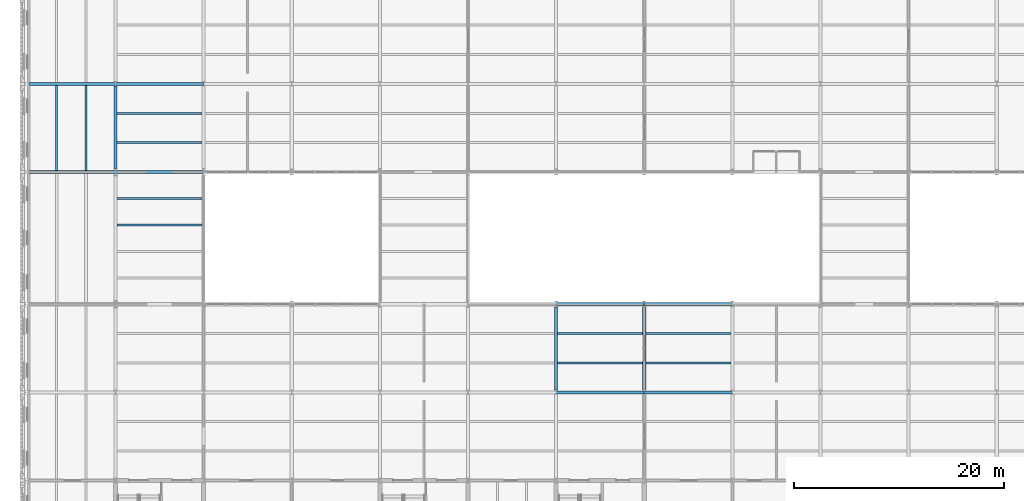
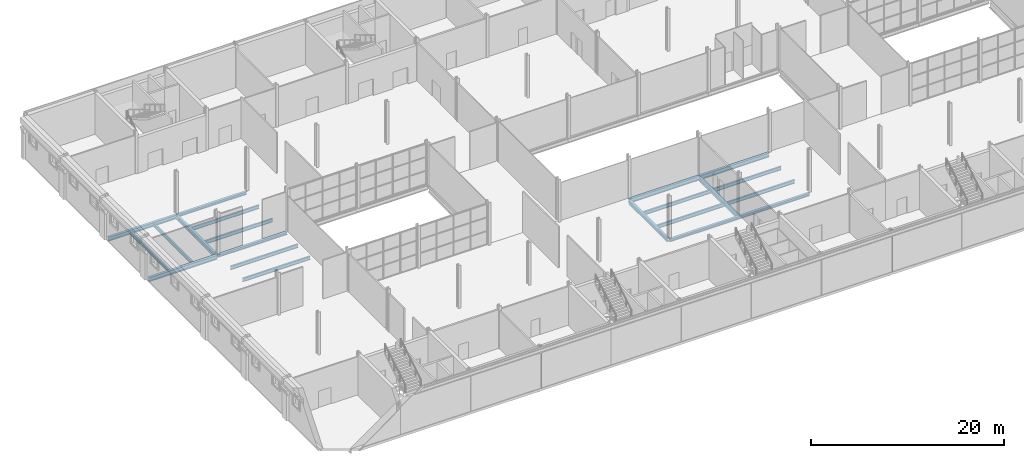
# One storey, part 13 of 57: 21 beams.
"""IFC4 building model written with IfcOpenShell, lengths in metres."""

from ifc_helpers import new_model, si_unit, direction, frame, origin, origin_2d, place, context, subcontext, project, spatial, i_section, extrude, material, material_profile, profile_set, type_object, element, save


model = new_model("IFC4")

# Units and contexts
model_context = context("Model", 3, precision=1e-05, world=origin(), true_north=direction((0.0, 1.0)))
body_context = subcontext(model_context, "Body", "Model", "MODEL_VIEW")
ifc_project = project(units=[si_unit("LENGTHUNIT", "METRE"), si_unit("AREAUNIT", "SQUARE_METRE"), si_unit("VOLUMEUNIT", "CUBIC_METRE"), si_unit("PLANEANGLEUNIT", "RADIAN"), si_unit("MASSUNIT", "GRAM", prefix="KILO")], contexts=[model_context])

# Site, building, storey
site_placement = place(None, origin())
site = spatial("IfcSite", under=ifc_project, at=site_placement, CompositionType="ELEMENT")
building_placement = place(site_placement, origin())
building = spatial("IfcBuilding", under=site, at=building_placement, Name="Galleria Vessillo Department Store", CompositionType="ELEMENT")
storey_placement = place(building_placement, frame((0.0, 0.0, 25.800048828125)))
storey = spatial("IfcBuildingStorey", under=building, at=storey_placement, Name="L05", CompositionType="ELEMENT", Elevation=25.800048828125)

# Beams
ifc_material_1 = material(Name="Steel S355 J2", Category="steel")
ifc_material_profile_1 = material_profile(ifc_material_1, i_section(OverallWidth=0.300048828125, OverallDepth=0.489990234375, WebThickness=0.011962890625, FlangeThickness=0.02294921875, FilletRadius=0.027099609375, at=origin_2d()), Name="HEA 500")
ifc_profile_set_1 = profile_set([ifc_material_profile_1], Name="Steel S355 J2")
beam_type_1 = type_object("IfcBeamType", Name="Floor girder HEA 500", PredefinedType="BEAM", material=ifc_profile_set_1)
beam_1_placement = place(storey_placement, frame((0.2001953125, 46.199951171875, -0.39501953125), z_axis=(1.0, 0.0, 0.0), x_axis=(0.0, 1.0, 0.0)))
element("IfcBeam", 1, at=beam_1_placement, inside=storey, type_object=beam_type_1, Name="S-BM-L05-GI-x46200-200", PredefinedType="BEAM", context=body_context, shape_type="SweptSolid", body=[
    extrude(i_section(OverallWidth=0.300048828125, OverallDepth=0.489990234375, WebThickness=0.011962890625, FlangeThickness=0.02294921875, FilletRadius=0.027099609375, at=origin_2d()), origin(), (0.0, 0.0, 1.0), 8.19287109375),
])
beam_2_placement = place(storey_placement, frame((8.39990234375, 38.134033203125, -0.39501953125), z_axis=(0.0, 1.0, 0.0), x_axis=(-1.0, 0.0, 0.0)))
element("IfcBeam", 2, at=beam_2_placement, inside=storey, type_object=beam_type_1, Name="S-BM-L05-GI-y8400-38134", PredefinedType="BEAM", context=body_context, shape_type="SweptSolid", body=[
    extrude(i_section(OverallWidth=0.300048828125, OverallDepth=0.489990234375, WebThickness=0.011962890625, FlangeThickness=0.02294921875, FilletRadius=0.027099609375, at=origin_2d()), origin(), (0.0, 0.0, 1.0), 7.86572265625),
])
for number, where, z_axis, x_axis, name in (
    (3, (50.39990234375, 17.000244140625, -0.39501953125), (0.0, 1.0, 0.0), (-1.0, 0.0, 0.0), "S-BM-L05-GI-y50400-17000"),
    (4, (58.800048828125, 17.000244140625, -0.39501953125), (0.0, 1.0, 0.0), (-1.0, 0.0, 0.0), "S-BM-L05-GI-y58800-17000"),
):
    element("IfcBeam", number, at=place(storey_placement, frame(where, z_axis=z_axis, x_axis=x_axis)), inside=storey, type_object=beam_type_1, Name=name, PredefinedType="BEAM", context=body_context, shape_type="SweptSolid", body=[
        extrude(i_section(OverallWidth=0.300048828125, OverallDepth=0.489990234375, WebThickness=0.011962890625, FlangeThickness=0.02294921875, FilletRadius=0.027099609375, at=origin_2d()), origin(), (0.0, 0.0, 1.0), 7.937744140625),
    ])
ifc_material_2 = material(Name="Steel S355 J2", Category="steel")
ifc_material_profile_2 = material_profile(ifc_material_2, i_section(OverallWidth=0.300048828125, OverallDepth=0.5400390625, WebThickness=0.012451171875, FlangeThickness=0.02392578125, FilletRadius=0.027099609375, at=origin_2d()), Name="HEA 550")
ifc_profile_set_2 = profile_set([ifc_material_profile_2], Name="Steel S355 J2")
beam_type_2 = type_object("IfcBeamType", Name="Floor girder HEA 550", PredefinedType="BEAM", material=ifc_profile_set_2)
beam_3_placement = place(storey_placement, frame((0.2001953125, 37.800048828125, -0.419921875), z_axis=(1.0, 0.0, 0.0), x_axis=(0.0, 1.0, 0.0)))
element("IfcBeam", 5, at=beam_3_placement, inside=storey, type_object=beam_type_2, Name="S-BM-L05-GI-x37800-200", PredefinedType="BEAM", context=body_context, shape_type="SweptSolid", body=[
    extrude(i_section(OverallWidth=0.300048828125, OverallDepth=0.5400390625, WebThickness=0.012451171875, FlangeThickness=0.02392578125, FilletRadius=0.027099609375, at=origin_2d()), origin(), (0.0, 0.0, 1.0), 8.189208984375),
])
ifc_material_3 = material(Name="Steel S355 J2", Category="steel")
ifc_material_profile_3 = material_profile(ifc_material_3, i_section(OverallWidth=0.18994140625, OverallDepth=0.449951171875, WebThickness=0.009521484375, FlangeThickness=0.0146484375, FilletRadius=0.02099609375, at=origin_2d()), Name="IPE 450")
ifc_profile_set_3 = profile_set([ifc_material_profile_3], Name="Steel S355 J2")
beam_type_3 = type_object("IfcBeamType", Name="Floor joist IPE 450", PredefinedType="JOIST", material=ifc_profile_set_3)
for number, where, z_axis, x_axis, name in (
    (6, (2.800048828125, 37.9501953125, -0.375), (0.0, 1.0, 0.0), (-1.0, 0.0, 0.0), "S-BM-L05-JO-y2800-37950"),
    (7, (5.60009765625, 37.9501953125, -0.375), (0.0, 1.0, 0.0), (-1.0, 0.0, 0.0), "S-BM-L05-JO-y5600-37950"),
):
    element("IfcBeam", number, at=place(storey_placement, frame(where, z_axis=z_axis, x_axis=x_axis)), inside=storey, type_object=beam_type_3, Name=name, PredefinedType="JOIST", context=body_context, shape_type="SweptSolid", body=[
        extrude(i_section(OverallWidth=0.18994140625, OverallDepth=0.449951171875, WebThickness=0.009521484375, FlangeThickness=0.0146484375, FilletRadius=0.02099609375, at=origin_2d()), origin(), (0.0, 0.0, 1.0), 8.099609375),
    ])
for number, where, z_axis, x_axis, name in (
    (8, (8.552734375, 32.760009765625, -0.375), (1.0, 0.0, 0.0), (0.0, 1.0, 0.0), "S-BM-L05-JO-x32760-8553"),
    (9, (8.552734375, 35.280029296875, -0.375), (1.0, 0.0, 0.0), (0.0, 1.0, 0.0), "S-BM-L05-JO-x35280-8553"),
):
    element("IfcBeam", number, at=place(storey_placement, frame(where, z_axis=z_axis, x_axis=x_axis)), inside=storey, type_object=beam_type_3, Name=name, PredefinedType="JOIST", context=body_context, shape_type="SweptSolid", body=[
        extrude(i_section(OverallWidth=0.18994140625, OverallDepth=0.449951171875, WebThickness=0.009521484375, FlangeThickness=0.0146484375, FilletRadius=0.02099609375, at=origin_2d()), origin(), (0.0, 0.0, 1.0), 8.09716796875),
    ])
for number, where, z_axis, x_axis, name in (
    (10, (8.550048828125, 40.60009765625, -0.375), (1.0, 0.0, 0.0), (0.0, 1.0, 0.0), "S-BM-L05-JO-x40600-8550"),
    (11, (8.550048828125, 43.39990234375, -0.375), (1.0, 0.0, 0.0), (0.0, 1.0, 0.0), "S-BM-L05-JO-x43400-8550"),
    (12, (50.550048828125, 19.60009765625, -0.375), (1.0, 0.0, 0.0), (0.0, 1.0, 0.0), "S-BM-L05-JO-x19600-50550"),
    (13, (50.550048828125, 22.39990234375, -0.375), (1.0, 0.0, 0.0), (0.0, 1.0, 0.0), "S-BM-L05-JO-x22400-50550"),
):
    element("IfcBeam", number, at=place(storey_placement, frame(where, z_axis=z_axis, x_axis=x_axis)), inside=storey, type_object=beam_type_3, Name=name, PredefinedType="JOIST", context=body_context, shape_type="SweptSolid", body=[
        extrude(i_section(OverallWidth=0.18994140625, OverallDepth=0.449951171875, WebThickness=0.009521484375, FlangeThickness=0.0146484375, FilletRadius=0.02099609375, at=origin_2d()), origin(), (0.0, 0.0, 1.0), 8.099853515625),
    ])
for number, where, z_axis, x_axis, name in (
    (14, (58.9501953125, 19.60009765625, -0.375), (1.0, 0.0, 0.0), (0.0, 1.0, 0.0), "S-BM-L05-JO-x19600-58950"),
    (15, (58.9501953125, 22.39990234375, -0.375), (1.0, 0.0, 0.0), (0.0, 1.0, 0.0), "S-BM-L05-JO-x22400-58950"),
):
    element("IfcBeam", number, at=place(storey_placement, frame(where, z_axis=z_axis, x_axis=x_axis)), inside=storey, type_object=beam_type_3, Name=name, PredefinedType="JOIST", context=body_context, shape_type="SweptSolid", body=[
        extrude(i_section(OverallWidth=0.18994140625, OverallDepth=0.449951171875, WebThickness=0.009521484375, FlangeThickness=0.0146484375, FilletRadius=0.02099609375, at=origin_2d()), origin(), (0.0, 0.0, 1.0), 8.099609375),
    ])
ifc_material_4 = material(Name="Steel S355 J2", Category="steel")
ifc_material_profile_4 = material_profile(ifc_material_4, i_section(OverallWidth=0.300048828125, OverallDepth=0.35009765625, WebThickness=0.010009765625, FlangeThickness=0.017578125, FilletRadius=0.027099609375, at=origin_2d()), Name="HEA 360")
ifc_profile_set_4 = profile_set([ifc_material_profile_4], Name="Steel S355 J2")
beam_type_4 = type_object("IfcBeamType", Name="Floor tie girder HEA 360", PredefinedType="BEAM", material=ifc_profile_set_4)
for number, where, z_axis, x_axis, name in (
    (16, (50.406982421875, 16.800048828125, -0.324951171875), (1.0, 0.0, 0.0), (0.0, 1.0, 0.0), "S-BM-L05-TI-x16800-50407"),
    (17, (58.806884765625, 16.800048828125, -0.324951171875), (1.0, 0.0, 0.0), (0.0, 1.0, 0.0), "S-BM-L05-TI-x16800-58807"),
):
    element("IfcBeam", number, at=place(storey_placement, frame(where, z_axis=z_axis, x_axis=x_axis)), inside=storey, type_object=beam_type_4, Name=name, PredefinedType="BEAM", context=body_context, shape_type="SweptSolid", body=[
        extrude(i_section(OverallWidth=0.300048828125, OverallDepth=0.35009765625, WebThickness=0.010009765625, FlangeThickness=0.017578125, FilletRadius=0.027099609375, at=origin_2d()), origin(), (0.0, 0.0, 1.0), 8.38623046875),
    ])
beam_4_placement = place(storey_placement, frame((8.41064453125, 37.800048828125, -0.324951171875), z_axis=(1.0, 0.0, 0.0), x_axis=(0.0, 1.0, 0.0)))
element("IfcBeam", 18, at=beam_4_placement, inside=storey, type_object=beam_type_4, Name="S-BM-L05-TI-x37800-8411", PredefinedType="BEAM", context=body_context, shape_type="SweptSolid", body=[
    extrude(i_section(OverallWidth=0.300048828125, OverallDepth=0.35009765625, WebThickness=0.010009765625, FlangeThickness=0.017578125, FilletRadius=0.027099609375, at=origin_2d()), origin(), (0.0, 0.0, 1.0), 8.378662109375),
])
beam_5_placement = place(storey_placement, frame((8.406982421875, 46.199951171875, -0.324951171875), z_axis=(1.0, 0.0, 0.0), x_axis=(0.0, 1.0, 0.0)))
element("IfcBeam", 19, at=beam_5_placement, inside=storey, type_object=beam_type_4, Name="S-BM-L05-TI-x46200-8407", PredefinedType="BEAM", context=body_context, shape_type="SweptSolid", body=[
    extrude(i_section(OverallWidth=0.300048828125, OverallDepth=0.35009765625, WebThickness=0.010009765625, FlangeThickness=0.017578125, FilletRadius=0.027099609375, at=origin_2d()), origin(), (0.0, 0.0, 1.0), 8.38623046875),
])
ifc_material_5 = material(Name="Steel S355 J2", Category="steel")
ifc_material_profile_5 = material_profile(ifc_material_5, i_section(OverallWidth=0.300048828125, OverallDepth=0.5400390625, WebThickness=0.012451171875, FlangeThickness=0.02392578125, FilletRadius=0.027099609375, at=origin_2d()), Name="HEA 550")
ifc_profile_set_5 = profile_set([ifc_material_profile_5], Name="Steel S355 J2")
beam_type_5 = type_object("IfcBeamType", Name="Trimmer beam HEA 550", PredefinedType="BEAM", material=ifc_profile_set_5)
beam_6_placement = place(storey_placement, frame((50.41064453125, 25.199951171875, -0.419921875), z_axis=(1.0, 0.0, 0.0), x_axis=(0.0, 1.0, 0.0)))
element("IfcBeam", 20, at=beam_6_placement, inside=storey, type_object=beam_type_5, Name="S-BM-L05-TR-x25200-50411", PredefinedType="BEAM", context=body_context, shape_type="SweptSolid", body=[
    extrude(i_section(OverallWidth=0.300048828125, OverallDepth=0.5400390625, WebThickness=0.012451171875, FlangeThickness=0.02392578125, FilletRadius=0.027099609375, at=origin_2d()), origin(), (0.0, 0.0, 1.0), 8.378662109375),
])
beam_7_placement = place(storey_placement, frame((58.810546875, 25.199951171875, -0.419921875), z_axis=(1.0, 0.0, 0.0), x_axis=(0.0, 1.0, 0.0)))
element("IfcBeam", 21, at=beam_7_placement, inside=storey, type_object=beam_type_5, Name="S-BM-L05-TR-x25200-58811", PredefinedType="BEAM", context=body_context, shape_type="SweptSolid", body=[
    extrude(i_section(OverallWidth=0.300048828125, OverallDepth=0.5400390625, WebThickness=0.012451171875, FlangeThickness=0.02392578125, FilletRadius=0.027099609375, at=origin_2d()), origin(), (0.0, 0.0, 1.0), 8.37890625),
])

save(model, "model.ifc")
